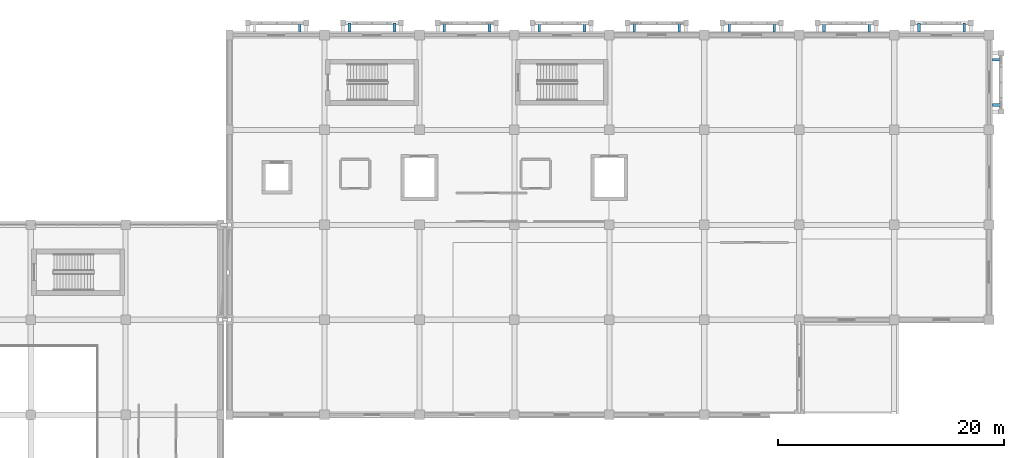
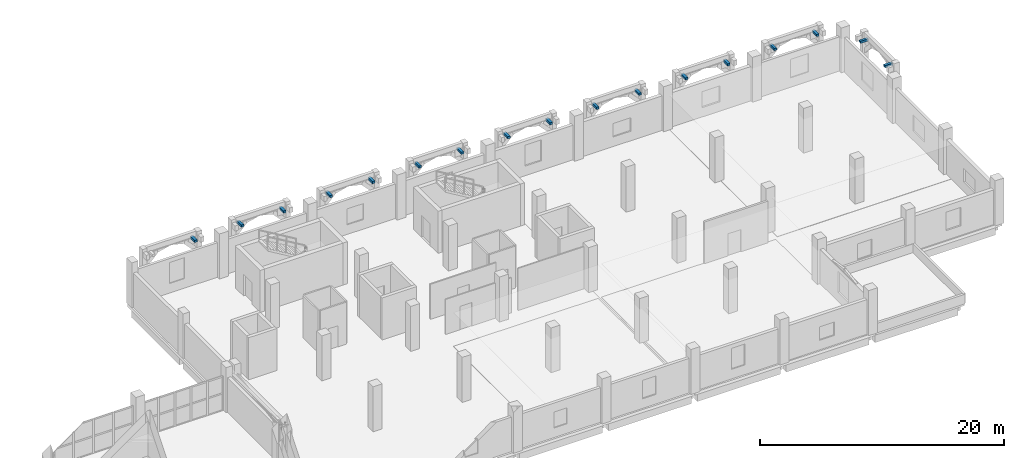
# One storey, part 123 of 137: 17 discrete accessories.
"""IFC4 building model written with IfcOpenShell, lengths in metres."""

from ifc_helpers import new_model, si_unit, direction, frame, origin, origin_2d, place, context, subcontext, project, spatial, rectangle, extrude, material, type_object, element, save


model = new_model("IFC4")

# Units and contexts
model_context = context("Model", 3, precision=1e-05, world=origin(), true_north=direction((0.0, 1.0)))
body_context = subcontext(model_context, "Body", "Model", "MODEL_VIEW")
ifc_project = project(units=[si_unit("LENGTHUNIT", "METRE"), si_unit("AREAUNIT", "SQUARE_METRE"), si_unit("VOLUMEUNIT", "CUBIC_METRE"), si_unit("PLANEANGLEUNIT", "RADIAN"), si_unit("MASSUNIT", "GRAM", prefix="KILO")], contexts=[model_context])

# Site, building, storey
site_placement = place(None, origin())
site = spatial("IfcSite", under=ifc_project, at=site_placement, CompositionType="ELEMENT")
building_placement = place(site_placement, origin())
building = spatial("IfcBuilding", under=site, at=building_placement, Name="Xazarin Passage Department Store", CompositionType="ELEMENT")
storey_placement = place(building_placement, frame((0.0, 0.0, 5.39990234375)))
storey = spatial("IfcBuildingStorey", under=building, at=storey_placement, Name="L01", CompositionType="ELEMENT", Elevation=5.39990234375)

# Discrete accessories
ifc_material = material(Name="Steel S355", Category="steel")
discrete_accessory_type = type_object("IfcDiscreteAccessoryType", Name="ARC-BRK-S355-B", PredefinedType="BRACKET", material=ifc_material)
for number, where, z_axis, x_axis, name in (
    (1, (108.60009765625, 110.699951171875, 3.84033203125), (0.0, 0.0, 1.0), (1.0, 0.0, 0.0), "L01 V4 Spandrel Tie Bracket 0292"),
    (2, (113.0, 110.699951171875, 3.84033203125), (0.0, 0.0, 1.0), (1.0, 0.0, 0.0), "L01 V4 Spandrel Tie Bracket 0299"),
    (3, (117.0, 110.699951171875, 3.84033203125), (0.0, 0.0, 1.0), (1.0, 0.0, 0.0), "L01 V4 Spandrel Tie Bracket 0300"),
    (4, (121.39990234375, 110.699951171875, 3.84033203125), (0.0, 0.0, 1.0), (1.0, 0.0, 0.0), "L01 V4 Spandrel Tie Bracket 0307"),
    (5, (125.39990234375, 110.699951171875, 3.84033203125), (0.0, 0.0, 1.0), (1.0, 0.0, 0.0), "L01 V4 Spandrel Tie Bracket 0308"),
    (6, (129.800048828125, 110.699951171875, 3.84033203125), (0.0, 0.0, 1.0), (1.0, 0.0, 0.0), "L01 V4 Spandrel Tie Bracket 0315"),
    (7, (133.800048828125, 110.699951171875, 3.84033203125), (0.0, 0.0, 1.0), (1.0, 0.0, 0.0), "L01 V4 Spandrel Tie Bracket 0316"),
    (8, (138.199951171875, 110.699951171875, 3.84033203125), (0.0, 0.0, 1.0), (1.0, 0.0, 0.0), "L01 V4 Spandrel Tie Bracket 0323"),
    (9, (142.199951171875, 110.699951171875, 3.84033203125), (0.0, 0.0, 1.0), (1.0, 0.0, 0.0), "L01 V4 Spandrel Tie Bracket 0324"),
    (10, (146.60009765625, 110.699951171875, 3.84033203125), (0.0, 0.0, 1.0), (1.0, 0.0, 0.0), "L01 V4 Spandrel Tie Bracket 0331"),
    (11, (150.60009765625, 110.699951171875, 3.84033203125), (0.0, 0.0, 1.0), (1.0, 0.0, 0.0), "L01 V4 Spandrel Tie Bracket 0332"),
    (12, (155.0, 110.699951171875, 3.84033203125), (0.0, 0.0, 1.0), (1.0, 0.0, 0.0), "L01 V4 Spandrel Tie Bracket 0335"),
    (13, (159.0, 110.699951171875, 3.84033203125), (0.0, 0.0, 1.0), (1.0, 0.0, 0.0), "L01 V4 Spandrel Tie Bracket 0336"),
    (14, (163.39990234375, 110.699951171875, 3.84033203125), (0.0, 0.0, 1.0), (1.0, 0.0, 0.0), "L01 V4 Spandrel Tie Bracket 0339"),
    (15, (167.39990234375, 110.699951171875, 3.84033203125), (0.0, 0.0, 1.0), (1.0, 0.0, 0.0), "L01 V4 Spandrel Tie Bracket 0340"),
    (16, (170.300048828125, 103.800048828125, 3.84033203125), (0.0, 0.0, 1.0), (0.0, 1.0, 0.0), "L01 V4 Spandrel Tie Bracket 0345"),
    (17, (170.300048828125, 107.800048828125, 3.84033203125), (0.0, 0.0, 1.0), (0.0, 1.0, 0.0), "L01 V4 Spandrel Tie Bracket 0346"),
):
    element("IfcDiscreteAccessory", number, at=place(storey_placement, frame(where, z_axis=z_axis, x_axis=x_axis)), inside=storey, type_object=discrete_accessory_type, Name=name, PredefinedType="BRACKET", context=body_context, shape_type="SweptSolid", body=[
        extrude(rectangle(XDim=0.239990234375, YDim=0.75, at=origin_2d()), origin(), (0.0, 0.0, 1.0), 0.219970703125),
    ])

save(model, "model.ifc")
